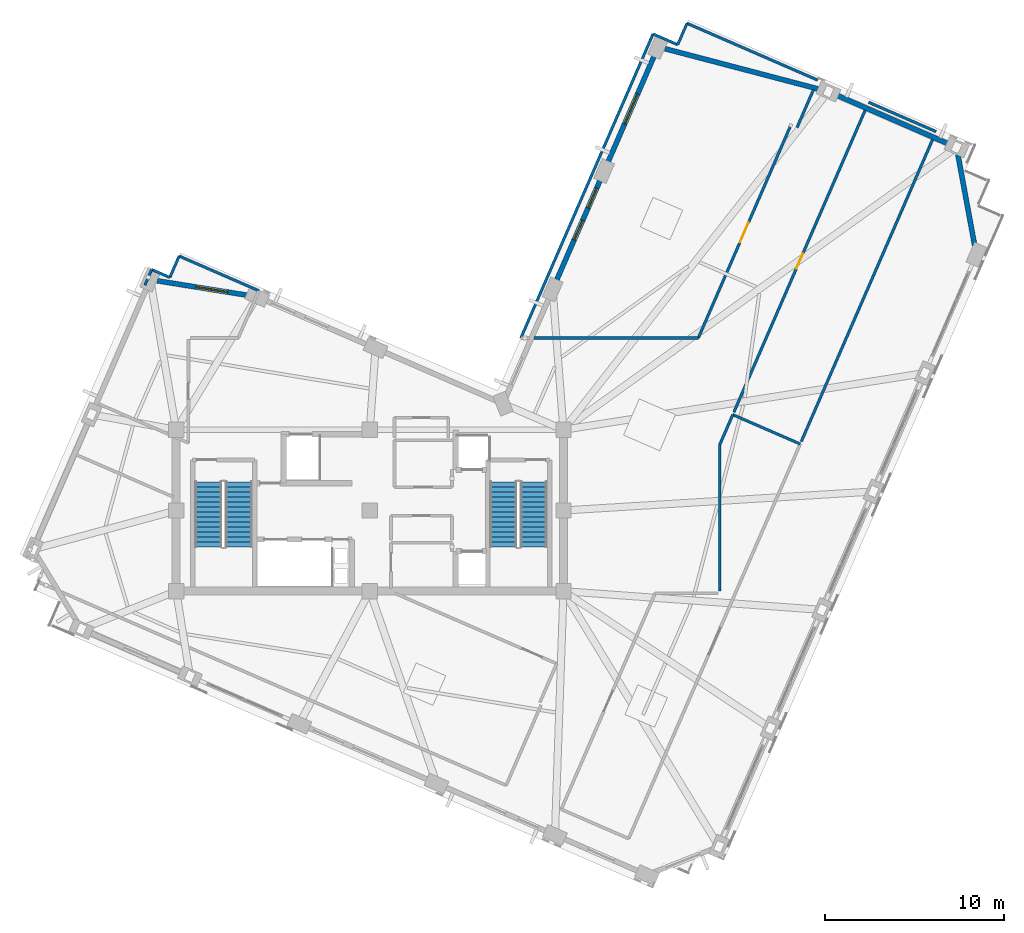
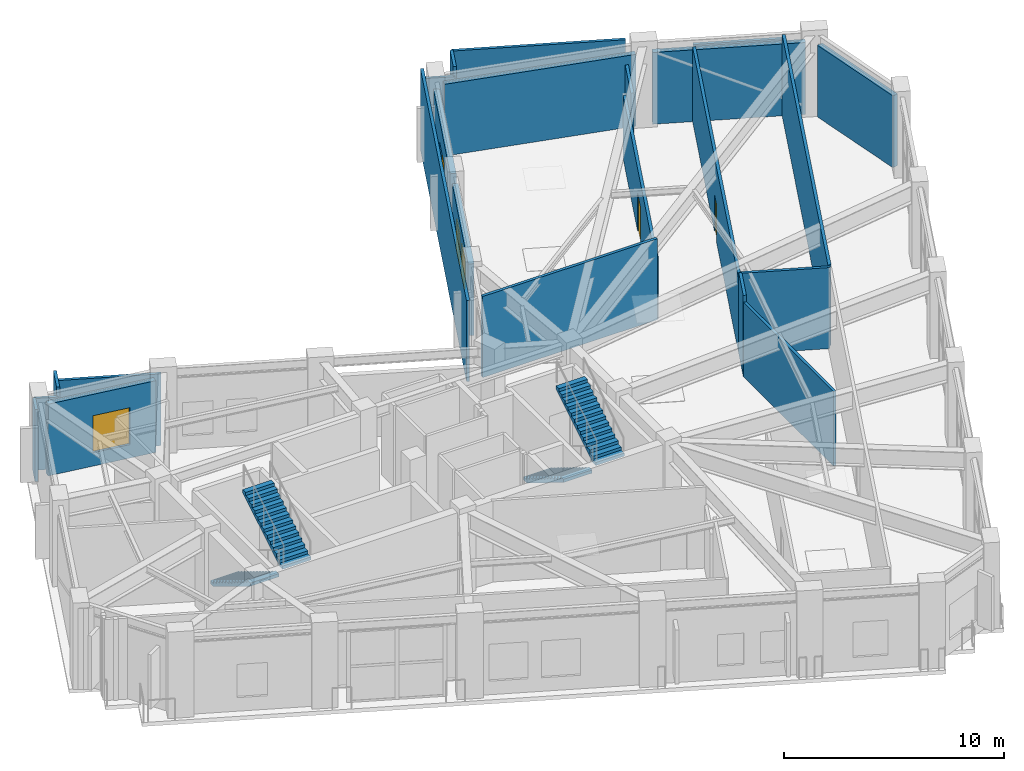
# One storey, part 12 of 16: 23 walls, 4 stair flights, 4 windows, 2 doors, 6 openings, 2 elements without a shape of their own.
"""IFC4 building model written with IfcOpenShell, lengths in metres."""

import ifcopenshell
import ifcopenshell.guid

model = None  # the IFC model being written
_history = None  # IfcOwnerHistory: only IFC2X3 demands one
_inside = {}  # id of a spatial element -> (the spatial element, [elements in it])
_under = {}  # id of a project, library or spatial element -> (it, [spatial elements below it])
_declared = {}  # id of a project -> (the project, [libraries it declares])
_typed = {}  # id of a type object -> (the type object, [elements of that type])
_made_of = {}  # id of a material, layer set ... -> (it, [elements and type objects made of it])


def new_model(schema):
    """Start an empty IFC model of exactly this schema.

    Asked for "IFC4X3", IfcOpenShell would pick the latest addendum, in which some entities
    have other attributes; the version numbers below select the first issue.
    IFC2X3 requires an IfcOwnerHistory on every rooted entity: one is made here for all.
    """
    global model, _history
    if schema == "IFC4X3":
        model = ifcopenshell.file(schema_version=(4, 3, 0, 0))
    else:
        model = ifcopenshell.file(schema=schema)
    _inside.clear()
    _under.clear()
    _declared.clear()
    _typed.clear()
    _made_of.clear()
    _history = None
    if model.schema == "IFC2X3":
        org = make("IfcOrganization", Name="unknown")
        user = make(
            "IfcPersonAndOrganization",
            ThePerson=make("IfcPerson", FamilyName="unknown"),
            TheOrganization=org,
        )
        app = make(
            "IfcApplication",
            ApplicationDeveloper=org,
            Version="unknown",
            ApplicationFullName="unknown",
            ApplicationIdentifier="unknown",
        )
        _history = make(
            "IfcOwnerHistory",
            OwningUser=user,
            OwningApplication=app,
            ChangeAction="ADDED",
            CreationDate=0,
        )
    return model


def make(cls, **values):
    """One entity of the class cls with the attributes given. An attribute that is None is left unset."""
    return model.create_entity(
        cls, **{name: value for name, value in values.items() if value is not None}
    )


def rooted(cls, **values):
    """An entity with a GlobalId (a new one), such as an element, a storey or a relation."""
    return make(cls, GlobalId=ifcopenshell.guid.new(), OwnerHistory=_history, **values)


def si_unit(unit_type, name, prefix=None):
    """IfcSIUnit, for example si_unit("LENGTHUNIT", "METRE", prefix="MILLI")."""
    return make("IfcSIUnit", UnitType=unit_type, Prefix=prefix, Name=name)


def assignment(units):
    """IfcUnitAssignment: the units of a project."""
    return None if units is None else make("IfcUnitAssignment", Units=units)


def point(xyz):
    """IfcCartesianPoint."""
    return None if xyz is None else make("IfcCartesianPoint", Coordinates=xyz)


def direction(xyz):
    """IfcDirection."""
    return None if xyz is None else make("IfcDirection", DirectionRatios=xyz)


def frame(location, z_axis=None, x_axis=None):
    """IfcAxis2Placement3D, a coordinate frame: its origin and axes. An axis left out is left unset."""
    return make(
        "IfcAxis2Placement3D",
        Location=point(location),
        Axis=direction(z_axis),
        RefDirection=direction(x_axis),
    )


def frame_2d(location, x_axis=None):
    """IfcAxis2Placement2D, a coordinate frame in the plane: its origin and x axis."""
    return make(
        "IfcAxis2Placement2D", Location=point(location), RefDirection=direction(x_axis)
    )


def origin():
    """The frame at (0, 0, 0) with its axes left unset."""
    return frame((0.0, 0.0, 0.0))


def place(relative_to, where):
    """IfcLocalPlacement: puts the frame where relative to a parent placement (None: the world)."""
    return make(
        "IfcLocalPlacement", PlacementRelTo=relative_to, RelativePlacement=where
    )


def context(
    kind, dimensions, precision=None, world=None, true_north=None, identifier=None
):
    """IfcGeometricRepresentationContext, for example the 3D "Model" context."""
    return make(
        "IfcGeometricRepresentationContext",
        ContextIdentifier=identifier,
        ContextType=kind,
        CoordinateSpaceDimension=dimensions,
        Precision=precision,
        WorldCoordinateSystem=world,
        TrueNorth=true_north,
    )


def subcontext(parent, identifier, kind, view, scale=None):
    """IfcGeometricRepresentationSubContext, for example "Body" below "Model"."""
    return make(
        "IfcGeometricRepresentationSubContext",
        ContextIdentifier=identifier,
        ContextType=kind,
        ParentContext=parent,
        TargetScale=scale,
        TargetView=view,
    )


def project(units=None, contexts=None):
    """IfcProject with its units and contexts."""
    return rooted(
        "IfcProject",
        Name="project",
        RepresentationContexts=contexts,
        UnitsInContext=assignment(units),
    )


def spatial(cls, under=None, at=None, **own):
    """A site, building, storey or space (cls), placed at a placement, below another one or the project."""
    s = rooted(cls, ObjectPlacement=at, **own)
    if under is not None:
        _under.setdefault(under.id(), (under, []))[1].append(s)
    return s


def polyline(points):
    """IfcPolyline through the points."""
    return make("IfcPolyline", Points=[point(p) for p in points])


def profile(cls, at=None, kind="AREA", **sizes):
    """A parametric profile (cls). Its sizes go by their IFC names, for example OverallWidth=200.0."""
    return make(cls, ProfileType=kind, Position=at, **sizes)


def rectangle(**sizes):
    """IfcRectangleProfileDef."""
    return profile("IfcRectangleProfileDef", **sizes)


def outline(outer, holes=None, kind="AREA"):
    """IfcArbitraryClosedProfileDef: a profile drawn as a closed curve; with holes, ...WithVoids."""
    if holes is None:
        return make("IfcArbitraryClosedProfileDef", ProfileType=kind, OuterCurve=outer)
    return make(
        "IfcArbitraryProfileDefWithVoids",
        ProfileType=kind,
        OuterCurve=outer,
        InnerCurves=holes,
    )


def extrude(swept, where, along, depth):
    """IfcExtrudedAreaSolid: the profile swept, set in the frame where, extruded along a direction by depth."""
    return make(
        "IfcExtrudedAreaSolid",
        SweptArea=swept,
        Position=where,
        ExtrudedDirection=direction(along),
        Depth=depth,
    )


def shape(context_of_items, identifier, shape_type, items):
    """IfcShapeRepresentation: the items that make up one representation, for example the "Body"."""
    return make(
        "IfcShapeRepresentation",
        ContextOfItems=context_of_items,
        RepresentationIdentifier=identifier,
        RepresentationType=shape_type,
        Items=items,
    )


def material(Name=None, Category=None):
    """IfcMaterial."""
    return make("IfcMaterial", Name=Name, Category=Category)


def layer(
    of_material, thickness, ventilated=None, Name=None, Category=None, Priority=None
):
    """IfcMaterialLayer: one layer of a wall or slab, of a material (None: an air gap)."""
    return make(
        "IfcMaterialLayer",
        Material=of_material,
        LayerThickness=thickness,
        IsVentilated=ventilated,
        Name=Name,
        Category=Category,
        Priority=Priority,
    )


def layer_set(layers, Name=None):
    """IfcMaterialLayerSet."""
    return make("IfcMaterialLayerSet", MaterialLayers=layers, LayerSetName=Name)


def made_of(thing, what):
    """Note that an element or type object is made of a material, layer set ...; save() writes the relation."""
    if what is not None:
        _made_of.setdefault(what.id(), (what, []))[1].append(thing)
    return thing


def type_object(cls, material=None, **own):
    """A type object (cls), such as IfcWallType, which elements share."""
    return made_of(rooted(cls, **own), material)


def element(
    cls,
    number,
    at=None,
    inside=None,
    cuts=None,
    type_object=None,
    material=None,
    context=None,
    identifier="Body",
    shape_type=None,
    held_by="IfcProductDefinitionShape",
    body=None,
    shapes=None,
    **own,
):
    """One element of the class cls, such as IfcWall. Its Tag is "e" and its number.

    at: its placement. inside: the storey or other place that contains it. cuts: it is an
    opening in that element (IfcRelVoidsElement). A single representation is given by context,
    identifier, shape_type and body (its items); several are given by shapes. held_by: the class
    of the entity that holds the representations. save() writes the other relations.
    """
    e = rooted(cls, Tag="e%d" % number, ObjectPlacement=at, **own)
    if body is not None:
        shapes = [shape(context, identifier, shape_type, body)]
    if shapes is not None:
        e.Representation = make(held_by, Representations=shapes)
    if inside is not None:
        _inside.setdefault(inside.id(), (inside, []))[1].append(e)
    if cuts is not None:
        rooted(
            "IfcRelVoidsElement", RelatingBuildingElement=cuts, RelatedOpeningElement=e
        )
    if type_object is not None:
        _typed.setdefault(type_object.id(), (type_object, []))[1].append(e)
    return made_of(e, material)


def fill(opening, filler):
    """IfcRelFillsElement: the door or window that sits in an opening."""
    return rooted(
        "IfcRelFillsElement",
        RelatingOpeningElement=opening,
        RelatedBuildingElement=filler,
    )


def aggregate(whole, parts):
    """IfcRelAggregates: a whole, such as a stair, and the parts it consists of."""
    return rooted("IfcRelAggregates", RelatingObject=whole, RelatedObjects=parts)


def save(model, path):
    """Write the relations noted so far, then the file.

    IfcRelAggregates (storeys below a building ...), IfcRelContainedInSpatialStructure (elements
    in a storey), IfcRelDefinesByType, IfcRelAssociatesMaterial and IfcRelDeclares: one each for
    every whole, place, type object, material and project.
    """
    for whole, parts in _under.values():
        aggregate(whole, parts)
    for where, things in _inside.values():
        rooted(
            "IfcRelContainedInSpatialStructure",
            RelatedElements=things,
            RelatingStructure=where,
        )
    for kind, things in _typed.values():
        rooted("IfcRelDefinesByType", RelatedObjects=things, RelatingType=kind)
    for what, things in _made_of.values():
        rooted("IfcRelAssociatesMaterial", RelatedObjects=things, RelatingMaterial=what)
    for by, libraries in _declared.values():
        rooted("IfcRelDeclares", RelatingContext=by, RelatedDefinitions=libraries)
    model.write(path)


model = new_model("IFC4")

# Units and contexts
model_context = context("Model", 3, precision=1e-05, world=origin(), true_north=direction((0.0, 1.0)))
body_context = subcontext(model_context, "Body", "Model", "MODEL_VIEW")
ifc_project = project(units=[si_unit("LENGTHUNIT", "METRE"), si_unit("AREAUNIT", "SQUARE_METRE"), si_unit("VOLUMEUNIT", "CUBIC_METRE"), si_unit("PLANEANGLEUNIT", "RADIAN"), si_unit("MASSUNIT", "GRAM", prefix="KILO")], contexts=[model_context])

# Site, building, storey
site_placement = place(None, origin())
site = spatial("IfcSite", under=ifc_project, at=site_placement, CompositionType="ELEMENT")
building_placement = place(site_placement, origin())
building = spatial("IfcBuilding", under=site, at=building_placement, Name="Gaonmaruhae Medical Tower", CompositionType="ELEMENT")
storey_placement = place(building_placement, frame((0.0, 0.0, 333.39990234375)))
storey = spatial("IfcBuildingStorey", under=building, at=storey_placement, Name="L80", CompositionType="ELEMENT", Elevation=333.39990234375)

# Walls
ifc_material_1 = material(Name="Precast concrete C45/55", Category="concrete")
ifc_layer_1 = layer(ifc_material_1, 0.280029296875)
ifc_layer_set_1 = layer_set([ifc_layer_1], Name="Precast concrete C45/55")
wall_type_1 = type_object("IfcWallType", Name="EW-280 Upper Precast Masonry-Frame Facade Wall", PredefinedType="SOLIDWALL", material=ifc_layer_set_1)
wall_1_placement = place(storey_placement, frame((57.597900390625, 32.16162109375, 0.0), z_axis=(0.0, 0.0, 1.0), x_axis=(0.181421889976, -0.983405357845, 0.0)))
element("IfcWall", 1, at=wall_1_placement, inside=storey, type_object=wall_type_1, Name="L80 Precast Masonry-Frame Wall S06-E01", PredefinedType="SOLIDWALL", context=body_context, shape_type="SweptSolid", body=[
    extrude(rectangle(XDim=5.292724609375, YDim=0.280029296875, at=frame_2d((2.646484375, 0.0))), origin(), (0.0, 0.0, 1.0), 3.985107421875),
])
wall_2_placement = place(storey_placement, frame((50.7373046875, 35.50439453125, 0.0), z_axis=(0.0, 0.0, 1.0), x_axis=(0.917057311373, -0.398755423359, 0.0)))
element("IfcWall", 2, at=wall_2_placement, inside=storey, type_object=wall_type_1, Name="L80 Precast Masonry-Frame Wall E01-E02", PredefinedType="SOLIDWALL", context=body_context, shape_type="SweptSolid", body=[
    extrude(rectangle(XDim=7.0048828125, YDim=0.280029296875, at=frame_2d((3.50244140625, 0.0))), origin(), (0.0, 0.0, 1.0), 3.985107421875),
])
wall_3_placement = place(storey_placement, frame((41.263671875, 38.05419921875, 0.0), z_axis=(0.0, 0.0, 1.0), x_axis=(0.967228971308, -0.253905724755, 0.0)))
element("IfcWall", 3, at=wall_3_placement, inside=storey, type_object=wall_type_1, Name="L80 Precast Masonry-Frame Wall E02-E03", PredefinedType="SOLIDWALL", context=body_context, shape_type="SweptSolid", body=[
    extrude(rectangle(XDim=9.020263671875, YDim=0.280029296875, at=frame_2d((4.51025390625, 0.0))), origin(), (0.0, 0.0, 1.0), 3.985107421875),
])

# Wall, opening, window
wall_4_placement = place(storey_placement, frame((38.027099609375, 31.595947265625, 0.0), z_axis=(0.0, 0.0, 1.0), x_axis=(0.398764437463, 0.917053391802, 0.0)))
wall_4 = element("IfcWall", 4, at=wall_4_placement, inside=storey, type_object=wall_type_1, Name="L80 Precast Masonry-Frame Wall E03-EN01", PredefinedType="SOLIDWALL", context=body_context, shape_type="SweptSolid", body=[
    extrude(rectangle(XDim=6.7548828125, YDim=0.280029296875, at=frame_2d((3.37744140625, 0.0))), origin(), (0.0, 0.0, 1.0), 3.985107421875),
])
opening_1_placement = place(wall_4_placement, frame((2.4775390625, 0.0, 0.75)))
opening_1 = element("IfcOpeningElement", 5, at=opening_1_placement, cuts=wall_4, Name="Opening WN-04", PredefinedType="OPENING", context=body_context, shape_type="SweptSolid", body=[
    extrude(rectangle(XDim=1.800048828125, YDim=2.050048828125, at=frame_2d((0.89990234375, 1.02490234375))), frame((0.0, 0.14990234375, 0.0), z_axis=(0.0, -1.0, 0.0), x_axis=(1.0, 0.0, 0.0)), (0.0, 0.0, 1.0), 0.300048828125),
])
ifc_material_2 = material(Name="Anodised aluminium and Low-E double glazing", Category="aluminium")
window_type_1 = type_object("IfcWindowType", Name="WN-04 Clinic & Consult Punched Window 1800x2050", PartitioningType="SINGLE_PANEL", PredefinedType="WINDOW", material=ifc_material_2)
window_1_placement = place(opening_1_placement, origin())
window_1 = element("IfcWindow", 6, at=window_1_placement, inside=storey, type_object=window_type_1, Name="L80 Modular Facade Window E03", OverallHeight=2.050048828125, OverallWidth=1.800048828125, PartitioningType="SINGLE_PANEL", PredefinedType="WINDOW", context=body_context, shape_type="SweptSolid", body=[
    extrude(rectangle(XDim=1.800048828125, YDim=2.050048828125, at=frame_2d((0.89990234375, 1.02490234375))), frame((0.0, 0.030029296875, 0.0), z_axis=(0.0, -1.0, 0.0), x_axis=(1.0, 0.0, 0.0)), (0.0, 0.0, 1.0), 0.06005859375),
])
fill(opening_1, window_1)

# Wall, openings, windows
wall_5_placement = place(storey_placement, frame((35.156005859375, 24.9931640625, 0.0), z_axis=(0.0, 0.0, 1.0), x_axis=(0.398758169539, 0.917056117272, 0.0)))
wall_5 = element("IfcWall", 7, at=wall_5_placement, inside=storey, type_object=wall_type_1, Name="L80 Precast Masonry-Frame Wall EN01-EN02", PredefinedType="SOLIDWALL", context=body_context, shape_type="SweptSolid", body=[
    extrude(rectangle(XDim=6.40478515625, YDim=0.280029296875, at=frame_2d((3.202392578125, 0.0))), origin(), (0.0, 0.0, 1.0), 3.985107421875),
])
opening_2_placement = place(wall_5_placement, frame((2.602294921875, 0.0, 0.75)))
opening_2 = element("IfcOpeningElement", 8, at=opening_2_placement, cuts=wall_5, Name="Opening WN-05", PredefinedType="OPENING", context=body_context, shape_type="SweptSolid", body=[
    extrude(rectangle(XDim=1.199951171875, YDim=1.75, at=frame_2d((0.60009765625, 0.875))), frame((0.0, 0.14990234375, 0.0), z_axis=(0.0, -1.0, 0.0), x_axis=(1.0, 0.0, 0.0)), (0.0, 0.0, 1.0), 0.300048828125),
])
opening_3_placement = place(wall_5_placement, frame((4.568603515625, 0.0, 0.75)))
opening_3 = element("IfcOpeningElement", 9, at=opening_3_placement, cuts=wall_5, Name="Opening WN-05", PredefinedType="OPENING", context=body_context, shape_type="SweptSolid", body=[
    extrude(rectangle(XDim=1.199951171875, YDim=1.75, at=frame_2d((0.60009765625, 0.875))), frame((0.0, 0.14990234375, 0.0), z_axis=(0.0, -1.0, 0.0), x_axis=(1.0, 0.0, 0.0)), (0.0, 0.0, 1.0), 0.300048828125),
])
window_type_2 = type_object("IfcWindowType", Name="WN-05 Support & Staff Punched Window 1200x1750", PartitioningType="SINGLE_PANEL", PredefinedType="WINDOW", material=ifc_material_2)
window_2_placement = place(opening_2_placement, origin())
window_2 = element("IfcWindow", 10, at=window_2_placement, inside=storey, type_object=window_type_2, Name="L80 Modular Facade Window EN01", OverallHeight=1.75, OverallWidth=1.199951171875, PartitioningType="SINGLE_PANEL", PredefinedType="WINDOW", context=body_context, shape_type="SweptSolid", body=[
    extrude(rectangle(XDim=1.199951171875, YDim=1.75, at=frame_2d((0.60009765625, 0.875))), frame((0.0, 0.030029296875, 0.0), z_axis=(0.0, -1.0, 0.0), x_axis=(1.0, 0.0, 0.0)), (0.0, 0.0, 1.0), 0.06005859375),
])
fill(opening_2, window_2)
window_3_placement = place(opening_3_placement, origin())
window_3 = element("IfcWindow", 11, at=window_3_placement, inside=storey, type_object=window_type_2, Name="L80 Modular Facade Window EN01B", OverallHeight=1.75, OverallWidth=1.199951171875, PartitioningType="SINGLE_PANEL", PredefinedType="WINDOW", context=body_context, shape_type="SweptSolid", body=[
    extrude(rectangle(XDim=1.199951171875, YDim=1.75, at=frame_2d((0.60009765625, 0.875))), frame((0.0, 0.030029296875, 0.0), z_axis=(0.0, -1.0, 0.0), x_axis=(1.0, 0.0, 0.0)), (0.0, 0.0, 1.0), 0.06005859375),
])
fill(opening_3, window_3)

# Wall, opening, window
wall_6_placement = place(storey_placement, frame((12.94580078125, 25.1103515625, 0.0), z_axis=(0.0, 0.0, 1.0), x_axis=(0.987363821305, -0.158469821666, 0.0)))
wall_6 = element("IfcWall", 12, at=wall_6_placement, inside=storey, type_object=wall_type_1, Name="L80 Precast Masonry-Frame Wall NE02-N01", PredefinedType="SOLIDWALL", context=body_context, shape_type="SweptSolid", body=[
    extrude(rectangle(XDim=5.244140625, YDim=0.280029296875, at=frame_2d((2.6220703125, 0.0))), origin(), (0.0, 0.0, 1.0), 3.985107421875),
])
opening_4_placement = place(wall_6_placement, frame((2.189208984375, 0.0, 0.75)))
opening_4 = element("IfcOpeningElement", 13, at=opening_4_placement, cuts=wall_6, Name="Opening WN-04", PredefinedType="OPENING", context=body_context, shape_type="SweptSolid", body=[
    extrude(rectangle(XDim=1.800048828125, YDim=2.050048828125, at=frame_2d((0.89990234375, 1.02490234375))), frame((0.0, 0.14990234375, 0.0), z_axis=(0.0, -1.0, 0.0), x_axis=(1.0, 0.0, 0.0)), (0.0, 0.0, 1.0), 0.300048828125),
])
window_4_placement = place(opening_4_placement, origin())
window_4 = element("IfcWindow", 14, at=window_4_placement, inside=storey, type_object=window_type_1, Name="L80 Modular Facade Window NE02", OverallHeight=2.050048828125, OverallWidth=1.800048828125, PartitioningType="SINGLE_PANEL", PredefinedType="WINDOW", context=body_context, shape_type="SweptSolid", body=[
    extrude(rectangle(XDim=1.800048828125, YDim=2.050048828125, at=frame_2d((0.89990234375, 1.02490234375))), frame((0.0, 0.030029296875, 0.0), z_axis=(0.0, -1.0, 0.0), x_axis=(1.0, 0.0, 0.0)), (0.0, 0.0, 1.0), 0.06005859375),
])
fill(opening_4, window_4)

# Walls
ifc_material_3 = material(Name="Gypsum board partition", Category="gypsum")
ifc_layer_2 = layer(ifc_material_3, 0.14990234375)
ifc_layer_set_2 = layer_set([ifc_layer_2], Name="Gypsum board partition")
wall_type_2 = type_object("IfcWallType", Name="PW-150 Rated Clinical Corridor Partition", PredefinedType="PARTITIONING", material=ifc_layer_set_2)
wall_7_placement = place(storey_placement, frame((44.320068359375, 7.800048828125, 0.0), z_axis=(0.0, 0.0, 1.0), x_axis=(0.0, 1.0, 0.0)))
element("IfcWall", 15, at=wall_7_placement, inside=storey, type_object=wall_type_2, Name="L80 Interior Partition L80-LOOK-14", PredefinedType="PARTITIONING", context=body_context, shape_type="SweptSolid", body=[
    extrude(rectangle(XDim=8.175048828125, YDim=0.14990234375, at=frame_2d((4.08740234375, 0.0))), origin(), (0.0, 0.0, 1.0), 4.135009765625),
])
wall_8_placement = place(storey_placement, frame((44.320068359375, 15.97509765625, 0.0), z_axis=(0.0, 0.0, 1.0), x_axis=(0.398564118579, 0.91714047091, 0.0)))
element("IfcWall", 16, at=wall_8_placement, inside=storey, type_object=wall_type_2, Name="L80 Interior Partition L80-LOOK-15", PredefinedType="PARTITIONING", context=body_context, shape_type="SweptSolid", body=[
    extrude(rectangle(XDim=1.818603515625, YDim=0.14990234375, at=frame_2d((0.9091796875, 0.0))), origin(), (0.0, 0.0, 1.0), 4.5),
])
wall_9_placement = place(storey_placement, frame((45.044921875, 17.64306640625, 0.0), z_axis=(0.0, 0.0, 1.0), x_axis=(0.917050175276, -0.398771834545, 0.0)))
element("IfcWall", 17, at=wall_9_placement, inside=storey, type_object=wall_type_2, Name="L80 Interior Partition L80-LOOK-16", PredefinedType="PARTITIONING", context=body_context, shape_type="SweptSolid", body=[
    extrude(rectangle(XDim=4.10009765625, YDim=0.14990234375, at=frame_2d((2.050048828125, 0.0))), origin(), (0.0, 0.0, 1.0), 4.5),
])

# Wall, opening, door
wall_10_placement = place(storey_placement, frame((45.10498046875, 17.780029296875, 0.0), z_axis=(0.0, 0.0, 1.0), x_axis=(0.398732909086, 0.917067100714, 0.0)))
wall_10 = element("IfcWall", 18, at=wall_10_placement, inside=storey, type_object=wall_type_2, Name="L80 Interior Partition L80-CAFE-21", PredefinedType="PARTITIONING", context=body_context, shape_type="SweptSolid", body=[
    extrude(rectangle(XDim=18.385986328125, YDim=0.14990234375, at=frame_2d((9.19287109375, 0.0))), origin(), (0.0, 0.0, 1.0), 4.135009765625),
])
opening_5_placement = place(wall_10_placement, frame((8.73291015625, 0.0, 0.0)))
opening_5 = element("IfcOpeningElement", 19, at=opening_5_placement, cuts=wall_10, Name="Opening UD-01", PredefinedType="OPENING", context=body_context, shape_type="SweptSolid", body=[
    extrude(rectangle(XDim=0.919921875, YDim=2.10009765625, at=frame_2d((0.4599609375, 1.050048828125))), frame((0.0, 0.0849609375, 0.0), z_axis=(0.0, -1.0, 0.0), x_axis=(1.0, 0.0, 0.0)), (0.0, 0.0, 1.0), 0.169921875),
])
ifc_material_4 = material(Name="Powder-coated steel utility door", Category="steel")
door_type_1 = type_object("IfcDoorType", Name="UD-01 Toilet, Utility & Housekeeping Door 920x2100", OperationType="NOTDEFINED", PredefinedType="DOOR", material=ifc_material_4)
door_1_placement = place(opening_5_placement, origin())
door_1 = element("IfcDoor", 20, at=door_1_placement, inside=storey, type_object=door_type_1, Name="L80 Sky Lookout Refreshment Pantry Door", OperationType="SINGLE_SWING_LEFT", OverallHeight=2.10009765625, OverallWidth=0.919921875, PredefinedType="DOOR", context=body_context, shape_type="SweptSolid", body=[
    extrude(rectangle(XDim=0.919921875, YDim=2.10009765625, at=frame_2d((0.4599609375, 1.050048828125))), frame((0.0, 0.02490234375, 0.0), z_axis=(0.0, -1.0, 0.0), x_axis=(1.0, 0.0, 0.0)), (0.0, 0.0, 1.0), 0.050048828125),
])
fill(opening_5, door_1)

# Walls
wall_11_placement = place(storey_placement, frame((52.62109375, 35.06689453125, 0.0), z_axis=(0.0, 0.0, 1.0), x_axis=(0.917050175276, -0.398771834545, 0.0)))
element("IfcWall", 21, at=wall_11_placement, inside=storey, type_object=wall_type_2, Name="L80 Interior Partition L80-CAFE-22", PredefinedType="PARTITIONING", context=body_context, shape_type="SweptSolid", body=[
    extrude(rectangle(XDim=4.10009765625, YDim=0.14990234375, at=frame_2d((2.050048828125, 0.0))), origin(), (0.0, 0.0, 1.0), 3.985107421875),
])
wall_12_placement = place(storey_placement, frame((56.196044921875, 33.006103515625, 0.0), z_axis=(0.0, 0.0, 1.0), x_axis=(-0.398732909086, -0.917067100714, 0.0)))
element("IfcWall", 22, at=wall_12_placement, inside=storey, type_object=wall_type_2, Name="L80 Interior Partition L80-CAFE-23", PredefinedType="PARTITIONING", context=body_context, shape_type="SweptSolid", body=[
    extrude(rectangle(XDim=18.385986328125, YDim=0.14990234375, at=frame_2d((9.19287109375, 0.0))), origin(), (0.0, 0.0, 1.0), 4.5),
])

# Wall, opening, door
wall_13_placement = place(storey_placement, frame((48.242919921875, 33.698974609375, 0.0), z_axis=(0.0, 0.0, 1.0), x_axis=(-0.398758777505, -0.917055852913, 0.0)))
wall_13 = element("IfcWall", 23, at=wall_13_placement, inside=storey, type_object=wall_type_2, Name="L80 Interior Partition L80-EXHB-24", PredefinedType="PARTITIONING", context=body_context, shape_type="SweptSolid", body=[
    extrude(rectangle(XDim=12.844482421875, YDim=0.14990234375, at=frame_2d((6.42236328125, 0.0))), origin(), (0.0, 0.0, 1.0), 3.485107421875),
])
opening_6_placement = place(wall_13_placement, frame((5.822265625, 0.0, 0.0)))
opening_6 = element("IfcOpeningElement", 24, at=opening_6_placement, cuts=wall_13, Name="Opening CD-02", PredefinedType="OPENING", context=body_context, shape_type="SweptSolid", body=[
    extrude(rectangle(XDim=1.199951171875, YDim=2.14990234375, at=frame_2d((0.60009765625, 1.074951171875))), frame((0.0, 0.0849609375, 0.0), z_axis=(0.0, -1.0, 0.0), x_axis=(1.0, 0.0, 0.0)), (0.0, 0.0, 1.0), 0.169921875),
])
ifc_material_5 = material(Name="Antimicrobial laminate timber fire door", Category="wood")
door_type_2 = type_object("IfcDoorType", Name="CD-02 Clinical Treatment & Procedure Door 1200x2150", OperationType="NOTDEFINED", PredefinedType="DOOR", material=ifc_material_5)
door_2_placement = place(opening_6_placement, origin())
door_2 = element("IfcDoor", 25, at=door_2_placement, inside=storey, type_object=door_type_2, Name="L80 Medical Heritage Exhibition Hall Door", OperationType="SINGLE_SWING_RIGHT", OverallHeight=2.14990234375, OverallWidth=1.199951171875, PredefinedType="DOOR", context=body_context, shape_type="SweptSolid", body=[
    extrude(rectangle(XDim=1.199951171875, YDim=2.14990234375, at=frame_2d((0.60009765625, 1.074951171875))), frame((0.0, 0.02490234375, 0.0), z_axis=(0.0, -1.0, 0.0), x_axis=(1.0, 0.0, 0.0)), (0.0, 0.0, 1.0), 0.050048828125),
])
fill(opening_6, door_2)

# Walls
wall_14_placement = place(storey_placement, frame((43.12109375, 21.919921875, 0.0), z_axis=(0.0, 0.0, 1.0), x_axis=(-1.0, 0.0, 0.0)))
element("IfcWall", 26, at=wall_14_placement, inside=storey, type_object=wall_type_2, Name="L80 Interior Partition L80-EXHB-25", PredefinedType="PARTITIONING", context=body_context, shape_type="SweptSolid", body=[
    extrude(rectangle(XDim=9.176025390625, YDim=0.14990234375, at=frame_2d((4.587890625, 0.0))), origin(), (0.0, 0.0, 1.0), 4.5),
])
wall_15_placement = place(storey_placement, frame((33.219970703125, 21.919921875, 0.0), z_axis=(0.0, 0.0, 1.0), x_axis=(0.39875121383, 0.917059141751, 0.0)))
element("IfcWall", 27, at=wall_15_placement, inside=storey, type_object=wall_type_2, Name="L80 Interior Partition L80-EXHB-27", PredefinedType="PARTITIONING", context=body_context, shape_type="SweptSolid", body=[
    extrude(rectangle(XDim=18.49267578125, YDim=0.14990234375, at=frame_2d((9.246337890625, 0.0))), origin(), (0.0, 0.0, 1.0), 4.5),
])
wall_16_placement = place(storey_placement, frame((40.593994140625, 38.87890625, 0.0), z_axis=(0.0, 0.0, 1.0), x_axis=(0.91715541112, -0.398529737728, 0.0)))
element("IfcWall", 28, at=wall_16_placement, inside=storey, type_object=wall_type_2, Name="L80 Interior Partition L80-EXHB-28", PredefinedType="PARTITIONING", context=body_context, shape_type="SweptSolid", body=[
    extrude(rectangle(XDim=1.500244140625, YDim=0.14990234375, at=frame_2d((0.75, 0.0))), origin(), (0.0, 0.0, 1.0), 3.985107421875),
])
wall_17_placement = place(storey_placement, frame((41.969970703125, 38.281005859375, 0.0), z_axis=(0.0, 0.0, 1.0), x_axis=(0.398629941404, 0.917111863306, 0.0)))
element("IfcWall", 29, at=wall_17_placement, inside=storey, type_object=wall_type_2, Name="L80 Interior Partition L80-EXHB-29", PredefinedType="PARTITIONING", context=body_context, shape_type="SweptSolid", body=[
    extrude(rectangle(XDim=1.299560546875, YDim=0.14990234375, at=frame_2d((0.64990234375, 0.0))), origin(), (0.0, 0.0, 1.0), 4.5),
])
wall_18_placement = place(storey_placement, frame((42.488037109375, 39.472900390625, 0.0), z_axis=(0.0, 0.0, 1.0), x_axis=(0.917073961881, -0.398717128351, 0.0)))
element("IfcWall", 30, at=wall_18_placement, inside=storey, type_object=wall_type_2, Name="L80 Interior Partition L80-EXHB-30", PredefinedType="PARTITIONING", context=body_context, shape_type="SweptSolid", body=[
    extrude(rectangle(XDim=7.9501953125, YDim=0.14990234375, at=frame_2d((3.97509765625, 0.0))), origin(), (0.0, 0.0, 1.0), 4.5),
])
wall_19_placement = place(storey_placement, frame((49.54296875, 35.761962890625, 0.0), z_axis=(0.0, 0.0, 1.0), x_axis=(-0.398765098315, -0.917053104441, 0.0)))
element("IfcWall", 31, at=wall_19_placement, inside=storey, type_object=wall_type_2, Name="L80 Interior Partition L80-EXHB-31", PredefinedType="PARTITIONING", context=body_context, shape_type="SweptSolid", body=[
    extrude(rectangle(XDim=2.289794921875, YDim=0.14990234375, at=frame_2d((1.14501953125, 0.0))), origin(), (0.0, 0.0, 1.0), 3.485107421875),
])
wall_20_placement = place(storey_placement, frame((14.162109375, 26.490966796875, 0.0), z_axis=(0.0, 0.0, 1.0), x_axis=(0.917057251911, -0.39875556011, 0.0)))
element("IfcWall", 32, at=wall_20_placement, inside=storey, type_object=wall_type_2, Name="L80 Interior Partition L80-HSK-41", PredefinedType="PARTITIONING", context=body_context, shape_type="SweptSolid", body=[
    extrude(rectangle(XDim=4.850341796875, YDim=0.14990234375, at=frame_2d((2.42529296875, 0.0))), origin(), (0.0, 0.0, 1.0), 3.985107421875),
])
wall_21_placement = place(storey_placement, frame((12.257080078125, 24.868896484375, 0.0), z_axis=(0.0, 0.0, 1.0), x_axis=(0.398763788566, 0.917053673963, 0.0)))
element("IfcWall", 33, at=wall_21_placement, inside=storey, type_object=wall_type_2, Name="L80 Interior Partition L80-HSK-46", PredefinedType="PARTITIONING", context=body_context, shape_type="SweptSolid", body=[
    extrude(rectangle(XDim=0.94775390625, YDim=0.14990234375, at=frame_2d((0.473876953125, 0.0))), origin(), (0.0, 0.0, 1.0), 3.985107421875),
])
wall_22_placement = place(storey_placement, frame((12.635009765625, 25.738037109375, 0.0), z_axis=(0.0, 0.0, 1.0), x_axis=(0.916985379611, -0.398920811164, 0.0)))
element("IfcWall", 34, at=wall_22_placement, inside=storey, type_object=wall_type_2, Name="L80 Interior Partition L80-HSK-47", PredefinedType="PARTITIONING", context=body_context, shape_type="SweptSolid", body=[
    extrude(rectangle(XDim=1.100341796875, YDim=0.14990234375, at=frame_2d((0.55029296875, 0.0))), origin(), (0.0, 0.0, 1.0), 3.985107421875),
])
wall_23_placement = place(storey_placement, frame((13.64404296875, 25.299072265625, 0.0), z_axis=(0.0, 0.0, 1.0), x_axis=(0.398629941404, 0.917111863306, 0.0)))
element("IfcWall", 35, at=wall_23_placement, inside=storey, type_object=wall_type_2, Name="L80 Interior Partition L80-HSK-48", PredefinedType="PARTITIONING", context=body_context, shape_type="SweptSolid", body=[
    extrude(rectangle(XDim=1.299560546875, YDim=0.14990234375, at=frame_2d((0.64990234375, 0.0))), origin(), (0.0, 0.0, 1.0), 4.5),
])

# Stair, stair flights
ifc_material_6 = material(Name="Concrete C40/50", Category="concrete")
stair_type = type_object("IfcStairType", Name="ST-T1 Primary Core Escape Dogleg Stair", PredefinedType="TWO_QUARTER_TURN_STAIR", material=ifc_material_6)
stair_1_placement = place(storey_placement, origin())
stair_1 = element("IfcStair", 36, at=stair_1_placement, inside=storey, type_object=stair_type, Name="L80 Protected Escape Stair ST-01", PredefinedType="TWO_QUARTER_TURN_STAIR")
stair_flight_type = type_object("IfcStairFlightType", Name="SF-T1 Primary Core Precast Stair Flight", PredefinedType="STRAIGHT", material=ifc_material_6)
stair_flight_1_placement = place(storey_placement, frame((15.800048828125, 13.89990234375, 0.0), z_axis=(0.0, 0.0, 1.0), x_axis=(0.0, -1.0, 0.0)))
stair_flight_1 = element("IfcStairFlight", 37, at=stair_flight_1_placement, type_object=stair_flight_type, Name="ST-01 flight 1", NumberOfRisers=14, NumberOfTreads=13, PredefinedType="STRAIGHT", RiserHeight=0.171428571, TreadLength=0.28, context=body_context, shape_type="SweptSolid", body=[
    extrude(outline(polyline([(0.0, 0.0), (0.0, 0.17138671875), (0.280029296875, 0.17138671875), (0.280029296875, 0.3427734375), (0.56005859375, 0.3427734375), (0.56005859375, 0.514404296875), (0.840087890625, 0.514404296875), (0.840087890625, 0.685791015625), (1.1201171875, 0.685791015625), (1.1201171875, 0.857177734375), (1.39990234375, 0.857177734375), (1.39990234375, 1.028564453125), (1.679931640625, 1.028564453125), (1.679931640625, 1.199951171875), (1.9599609375, 1.199951171875), (1.9599609375, 1.371337890625), (2.239990234375, 1.371337890625), (2.239990234375, 1.54296875), (2.52001953125, 1.54296875), (2.52001953125, 1.71435546875), (2.800048828125, 1.71435546875), (2.800048828125, 1.8857421875), (3.080078125, 1.8857421875), (3.080078125, 2.05712890625), (3.360107421875, 2.05712890625), (3.360107421875, 2.228515625), (3.639892578125, 2.228515625), (3.639892578125, 2.39990234375), (3.639892578125, 2.052734375), (0.287109375, 0.0), (0.0, 0.0)])), frame((0.0, 0.75, 0.0), z_axis=(0.0, -1.0, 0.0), x_axis=(1.0, 0.0, 0.0)), (0.0, 0.0, 1.0), 1.5),
])
stair_flight_2_placement = place(storey_placement, frame((17.5, 10.260009765625, 2.400146484375), z_axis=(0.0, 0.0, 1.0), x_axis=(0.0, 1.0, 0.0)))
stair_flight_2 = element("IfcStairFlight", 38, at=stair_flight_2_placement, type_object=stair_flight_type, Name="ST-01 flight 2", NumberOfRisers=14, NumberOfTreads=13, PredefinedType="STRAIGHT", RiserHeight=0.171428571, TreadLength=0.28, context=body_context, shape_type="SweptSolid", body=[
    extrude(outline(polyline([(0.0, 0.0), (0.0, 0.17138671875), (0.280029296875, 0.17138671875), (0.280029296875, 0.3427734375), (0.56005859375, 0.3427734375), (0.56005859375, 0.514404296875), (0.840087890625, 0.514404296875), (0.840087890625, 0.685791015625), (1.1201171875, 0.685791015625), (1.1201171875, 0.857177734375), (1.39990234375, 0.857177734375), (1.39990234375, 1.028564453125), (1.679931640625, 1.028564453125), (1.679931640625, 1.199951171875), (1.9599609375, 1.199951171875), (1.9599609375, 1.371337890625), (2.239990234375, 1.371337890625), (2.239990234375, 1.54296875), (2.52001953125, 1.54296875), (2.52001953125, 1.71435546875), (2.800048828125, 1.71435546875), (2.800048828125, 1.8857421875), (3.080078125, 1.8857421875), (3.080078125, 2.05712890625), (3.360107421875, 2.05712890625), (3.360107421875, 2.228515625), (3.639892578125, 2.228515625), (3.639892578125, 2.39990234375), (3.639892578125, 2.052734375), (0.287109375, 0.0), (0.0, 0.0)])), frame((0.0, 0.75, 0.0), z_axis=(0.0, -1.0, 0.0), x_axis=(1.0, 0.0, 0.0)), (0.0, 0.0, 1.0), 1.5),
])
aggregate(stair_1, [stair_flight_1, stair_flight_2])

stair_2_placement = place(storey_placement, origin())
stair_2 = element("IfcStair", 39, at=stair_2_placement, inside=storey, type_object=stair_type, Name="L80 Protected Escape Stair ST-02", PredefinedType="TWO_QUARTER_TURN_STAIR")
stair_flight_3_placement = place(storey_placement, frame((32.25, 13.89990234375, 0.0), z_axis=(0.0, 0.0, 1.0), x_axis=(0.0, -1.0, 0.0)))
stair_flight_3 = element("IfcStairFlight", 40, at=stair_flight_3_placement, type_object=stair_flight_type, Name="ST-02 flight 1", NumberOfRisers=14, NumberOfTreads=13, PredefinedType="STRAIGHT", RiserHeight=0.171428571, TreadLength=0.28, context=body_context, shape_type="SweptSolid", body=[
    extrude(outline(polyline([(0.0, 0.0), (0.0, 0.17138671875), (0.280029296875, 0.17138671875), (0.280029296875, 0.3427734375), (0.56005859375, 0.3427734375), (0.56005859375, 0.514404296875), (0.840087890625, 0.514404296875), (0.840087890625, 0.685791015625), (1.1201171875, 0.685791015625), (1.1201171875, 0.857177734375), (1.39990234375, 0.857177734375), (1.39990234375, 1.028564453125), (1.679931640625, 1.028564453125), (1.679931640625, 1.199951171875), (1.9599609375, 1.199951171875), (1.9599609375, 1.371337890625), (2.239990234375, 1.371337890625), (2.239990234375, 1.54296875), (2.52001953125, 1.54296875), (2.52001953125, 1.71435546875), (2.800048828125, 1.71435546875), (2.800048828125, 1.8857421875), (3.080078125, 1.8857421875), (3.080078125, 2.05712890625), (3.360107421875, 2.05712890625), (3.360107421875, 2.228515625), (3.639892578125, 2.228515625), (3.639892578125, 2.39990234375), (3.639892578125, 2.052734375), (0.287109375, 0.0), (0.0, 0.0)])), frame((0.0, 0.75, 0.0), z_axis=(0.0, -1.0, 0.0), x_axis=(1.0, 0.0, 0.0)), (0.0, 0.0, 1.0), 1.5),
])
stair_flight_4_placement = place(storey_placement, frame((33.949951171875, 10.260009765625, 2.400146484375), z_axis=(0.0, 0.0, 1.0), x_axis=(0.0, 1.0, 0.0)))
stair_flight_4 = element("IfcStairFlight", 41, at=stair_flight_4_placement, type_object=stair_flight_type, Name="ST-02 flight 2", NumberOfRisers=14, NumberOfTreads=13, PredefinedType="STRAIGHT", RiserHeight=0.171428571, TreadLength=0.28, context=body_context, shape_type="SweptSolid", body=[
    extrude(outline(polyline([(0.0, 0.0), (0.0, 0.17138671875), (0.280029296875, 0.17138671875), (0.280029296875, 0.3427734375), (0.56005859375, 0.3427734375), (0.56005859375, 0.514404296875), (0.840087890625, 0.514404296875), (0.840087890625, 0.685791015625), (1.1201171875, 0.685791015625), (1.1201171875, 0.857177734375), (1.39990234375, 0.857177734375), (1.39990234375, 1.028564453125), (1.679931640625, 1.028564453125), (1.679931640625, 1.199951171875), (1.9599609375, 1.199951171875), (1.9599609375, 1.371337890625), (2.239990234375, 1.371337890625), (2.239990234375, 1.54296875), (2.52001953125, 1.54296875), (2.52001953125, 1.71435546875), (2.800048828125, 1.71435546875), (2.800048828125, 1.8857421875), (3.080078125, 1.8857421875), (3.080078125, 2.05712890625), (3.360107421875, 2.05712890625), (3.360107421875, 2.228515625), (3.639892578125, 2.228515625), (3.639892578125, 2.39990234375), (3.639892578125, 2.052734375), (0.287109375, 0.0), (0.0, 0.0)])), frame((0.0, 0.75, 0.0), z_axis=(0.0, -1.0, 0.0), x_axis=(1.0, 0.0, 0.0)), (0.0, 0.0, 1.0), 1.5),
])
aggregate(stair_2, [stair_flight_3, stair_flight_4])

save(model, "model.ifc")
